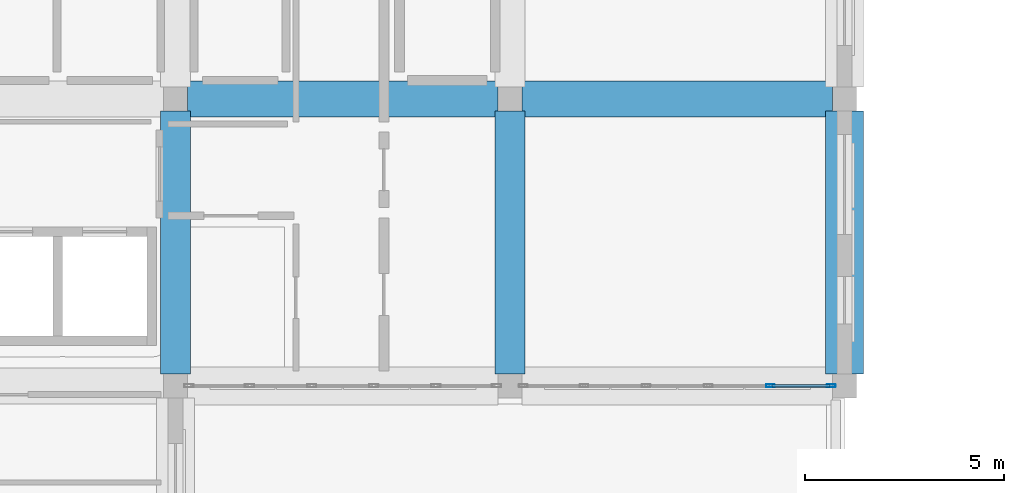
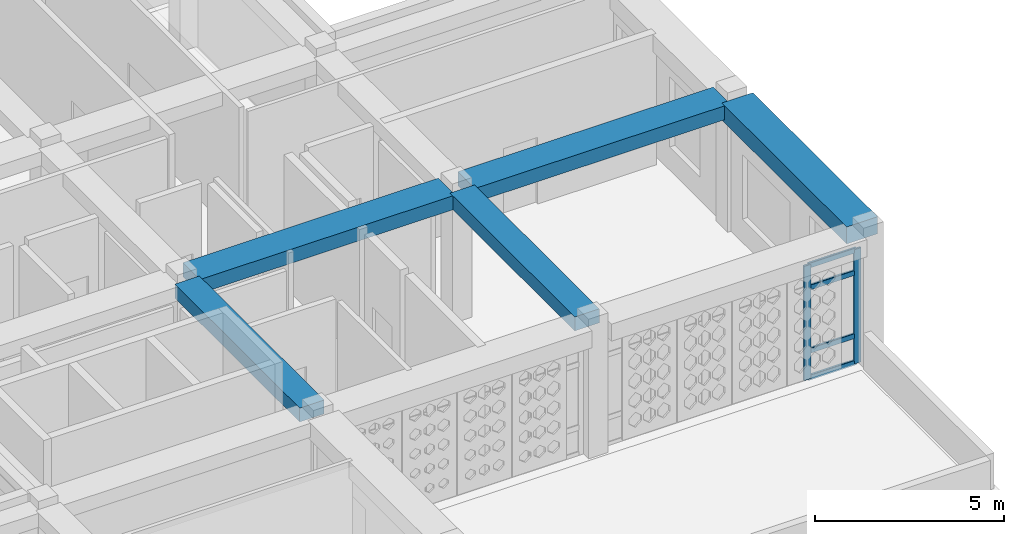
# One storey, part 7 of 28: 6 members, 5 beams, 1 element without a shape of its own.
"""IFC4 building model written with IfcOpenShell, lengths in metres."""

from ifc_helpers import new_model, si_unit, derived_unit, direction, frame, origin, origin_2d, place, context, subcontext, project, spatial, rectangle, hollow_rectangle, extrude, material, material_profile, profile_set, type_object, element, aggregate, save


model = new_model("IFC4")

# Units and contexts
model_context = context("Model", 3, precision=1e-05, world=origin(), true_north=direction((0.0, 1.0)))
body_context = subcontext(model_context, "Body", "Model", "MODEL_VIEW")
ifc_project = project(units=[si_unit("LENGTHUNIT", "METRE"), si_unit("AREAUNIT", "SQUARE_METRE"), si_unit("VOLUMEUNIT", "CUBIC_METRE"), si_unit("PLANEANGLEUNIT", "RADIAN"), si_unit("MASSUNIT", "GRAM", prefix="KILO"), derived_unit("THERMALTRANSMITTANCEUNIT", [(si_unit("POWERUNIT", "WATT"), 1), (si_unit("LENGTHUNIT", "METRE"), -2), (si_unit("THERMODYNAMICTEMPERATUREUNIT", "KELVIN"), -1)])], contexts=[model_context])

# Site, building, storey
site_placement = place(None, origin())
site = spatial("IfcSite", under=ifc_project, at=site_placement, CompositionType="ELEMENT")
building_placement = place(site_placement, origin())
building = spatial("IfcBuilding", under=site, at=building_placement, Name="Veybourne Emporium", CompositionType="ELEMENT")
storey_placement = place(building_placement, frame((0.0, 0.0, 32.10009765625)))
storey = spatial("IfcBuildingStorey", under=building, at=storey_placement, Name="L07", CompositionType="ELEMENT", Elevation=32.10009765625)

# Curtain wall, members
ifc_material_1 = material(Name="Patinated Architectural Bronze", Category="bronze")
curtain_wall_type = type_object("IfcCurtainWallType", Name="CWSystem_CWS-24", PredefinedType="NOTDEFINED", material=ifc_material_1)
curtain_wall_placement = place(storey_placement, origin())
curtain_wall = element("IfcCurtainWall", 1, at=curtain_wall_placement, inside=storey, type_object=curtain_wall_type, Name="L07 bronze glazed curtain wall CWS-24 (016)", PredefinedType="NOTDEFINED")
ifc_material_profile_1 = material_profile(ifc_material_1, hollow_rectangle(XDim=0.070068359375, YDim=0.219970703125, WallThickness=0.0048828125, InnerFilletRadius=0.007568359375, OuterFilletRadius=0.012451171875, at=origin_2d()), Name="CWM 70x220x5")
ifc_profile_set_1 = profile_set([ifc_material_profile_1], Name="Patinated Architectural Bronze")
member_type_1 = type_object("IfcMemberType", Name="CWMullion_CW-M4", PredefinedType="MULLION", material=ifc_profile_set_1)
member_1_placement = place(storey_placement, frame((50.06494140625, 14.39990234375, 0.0), z_axis=(0.0, 0.0, 1.0), x_axis=(0.0, -1.0, 0.0)))
member_1 = element("IfcMember", 2, at=member_1_placement, type_object=member_type_1, Name="CWS-24 mullion 1", PredefinedType="MULLION", context=body_context, shape_type="SweptSolid", body=[
    extrude(hollow_rectangle(XDim=0.070068359375, YDim=0.219970703125, WallThickness=0.0048828125, InnerFilletRadius=0.007568359375, OuterFilletRadius=0.012451171875, at=origin_2d()), origin(), (0.0, 0.0, 1.0), 3.68994140625),
])
member_2_placement = place(storey_placement, frame((48.5400390625, 14.39990234375, 0.0), z_axis=(0.0, 0.0, 1.0), x_axis=(0.0, -1.0, 0.0)))
member_2 = element("IfcMember", 3, at=member_2_placement, type_object=member_type_1, Name="CWS-24 mullion 2", PredefinedType="MULLION", context=body_context, shape_type="SweptSolid", body=[
    extrude(hollow_rectangle(XDim=0.070068359375, YDim=0.219970703125, WallThickness=0.0048828125, InnerFilletRadius=0.007568359375, OuterFilletRadius=0.012451171875, at=origin_2d()), origin(), (0.0, 0.0, 1.0), 3.68994140625),
])
ifc_material_profile_2 = material_profile(ifc_material_1, hollow_rectangle(XDim=0.070068359375, YDim=0.169921875, WallThickness=0.0048828125, InnerFilletRadius=0.007568359375, OuterFilletRadius=0.012451171875, at=origin_2d()), Name="CWT 70x170x5")
ifc_profile_set_2 = profile_set([ifc_material_profile_2], Name="Patinated Architectural Bronze")
member_type_2 = type_object("IfcMemberType", Name="CWTransom_CW-T4", PredefinedType="NOTDEFINED", material=ifc_profile_set_2)
member_3_placement = place(storey_placement, frame((50.030029296875, 14.39990234375, 0.034912109375), z_axis=(-1.0, 0.0, 0.0), x_axis=(0.0, -1.0, 0.0)))
member_3 = element("IfcMember", 4, at=member_3_placement, type_object=member_type_2, Name="CWS-24 transom 1.1", ObjectType="TRANSOM", PredefinedType="USERDEFINED", context=body_context, shape_type="SweptSolid", body=[
    extrude(hollow_rectangle(XDim=0.070068359375, YDim=0.169921875, WallThickness=0.0048828125, InnerFilletRadius=0.007568359375, OuterFilletRadius=0.012451171875, at=origin_2d()), origin(), (0.0, 0.0, 1.0), 1.455078125),
])
member_4_placement = place(storey_placement, frame((50.030029296875, 14.39990234375, 0.89990234375), z_axis=(-1.0, 0.0, 0.0), x_axis=(0.0, -1.0, 0.0)))
member_4 = element("IfcMember", 5, at=member_4_placement, type_object=member_type_2, Name="CWS-24 transom 1.2", ObjectType="TRANSOM", PredefinedType="USERDEFINED", context=body_context, shape_type="SweptSolid", body=[
    extrude(hollow_rectangle(XDim=0.070068359375, YDim=0.169921875, WallThickness=0.0048828125, InnerFilletRadius=0.007568359375, OuterFilletRadius=0.012451171875, at=origin_2d()), origin(), (0.0, 0.0, 1.0), 1.455078125),
])
member_5_placement = place(storey_placement, frame((50.030029296875, 14.39990234375, 2.93994140625), z_axis=(-1.0, 0.0, 0.0), x_axis=(0.0, -1.0, 0.0)))
member_5 = element("IfcMember", 6, at=member_5_placement, type_object=member_type_2, Name="CWS-24 transom 1.3", ObjectType="TRANSOM", PredefinedType="USERDEFINED", context=body_context, shape_type="SweptSolid", body=[
    extrude(hollow_rectangle(XDim=0.070068359375, YDim=0.169921875, WallThickness=0.0048828125, InnerFilletRadius=0.007568359375, OuterFilletRadius=0.012451171875, at=origin_2d()), origin(), (0.0, 0.0, 1.0), 1.455078125),
])
member_6_placement = place(storey_placement, frame((50.030029296875, 14.39990234375, 3.65478515625), z_axis=(-1.0, 0.0, 0.0), x_axis=(0.0, -1.0, 0.0)))
member_6 = element("IfcMember", 7, at=member_6_placement, type_object=member_type_2, Name="CWS-24 transom 1.4", ObjectType="TRANSOM", PredefinedType="USERDEFINED", context=body_context, shape_type="SweptSolid", body=[
    extrude(hollow_rectangle(XDim=0.070068359375, YDim=0.169921875, WallThickness=0.0048828125, InnerFilletRadius=0.007568359375, OuterFilletRadius=0.012451171875, at=origin_2d()), origin(), (0.0, 0.0, 1.0), 1.455078125),
])
aggregate(curtain_wall, [member_1, member_2, member_3, member_4, member_5, member_6])

# Beams
ifc_material_2 = material(Name="Concrete C32/40", Category="concrete")
ifc_material_profile_3 = material_profile(ifc_material_2, rectangle(XDim=0.89990234375, YDim=0.449951171875, at=origin_2d()), Name="RC 900x450")
ifc_profile_set_3 = profile_set([ifc_material_profile_3], Name="Concrete C32/40")
beam_type_1 = type_object("IfcBeamType", Name="RCBeam_BB-03", PredefinedType="BEAM", material=ifc_profile_set_3)
for number, where, z_axis, x_axis, name in (
    (8, (33.89990234375, 21.60009765625, 4.014892578125), (1.0, 0.0, 0.0), (0.0, 1.0, 0.0), "L07 X-grid beam BB-03 (4,3)"),
    (9, (42.300048828125, 21.60009765625, 4.014892578125), (1.0, 0.0, 0.0), (0.0, 1.0, 0.0), "L07 X-grid beam BB-03 (5,3)"),
):
    element("IfcBeam", number, at=place(storey_placement, frame(where, z_axis=z_axis, x_axis=x_axis)), inside=storey, type_object=beam_type_1, Name=name, PredefinedType="BEAM", context=body_context, shape_type="SweptSolid", body=[
        extrude(rectangle(XDim=0.89990234375, YDim=0.449951171875, at=origin_2d()), origin(), (0.0, 0.0, 1.0), 7.800048828125),
    ])
ifc_material_profile_4 = material_profile(ifc_material_2, rectangle(XDim=0.75, YDim=0.449951171875, at=origin_2d()), Name="RC 750x450")
ifc_profile_set_4 = profile_set([ifc_material_profile_4], Name="Concrete C32/40")
beam_type_2 = type_object("IfcBeamType", Name="RCBeam_BB-04", PredefinedType="BEAM", material=ifc_profile_set_4)
for number, where, z_axis, x_axis, name in (
    (10, (33.60009765625, 14.699951171875, 4.014892578125), (0.0, 1.0, 0.0), (-1.0, 0.0, 0.0), "L07 Y-grid beam BB-04 (4,2)"),
    (11, (42.0, 14.699951171875, 4.014892578125), (0.0, 1.0, 0.0), (-1.0, 0.0, 0.0), "L07 Y-grid beam BB-04 (5,2)"),
):
    element("IfcBeam", number, at=place(storey_placement, frame(where, z_axis=z_axis, x_axis=x_axis)), inside=storey, type_object=beam_type_2, Name=name, PredefinedType="BEAM", context=body_context, shape_type="SweptSolid", body=[
        extrude(rectangle(XDim=0.75, YDim=0.449951171875, at=origin_2d()), origin(), (0.0, 0.0, 1.0), 6.60009765625),
    ])
ifc_material_profile_5 = material_profile(ifc_material_2, rectangle(XDim=0.949951171875, YDim=0.550048828125, at=origin_2d()), Name="RC 950x550")
ifc_profile_set_5 = profile_set([ifc_material_profile_5], Name="Concrete C32/40")
beam_type_3 = type_object("IfcBeamType", Name="RCBeam_EB-01", PredefinedType="SPANDREL", material=ifc_profile_set_5)
beam_placement = place(storey_placement, frame((50.39990234375, 14.699951171875, 3.96484375), z_axis=(0.0, 1.0, 0.0), x_axis=(-1.0, 0.0, 0.0)))
element("IfcBeam", 12, at=beam_placement, inside=storey, type_object=beam_type_3, Name="L07 Y-grid beam EB-01 (6,2)", PredefinedType="SPANDREL", context=body_context, shape_type="SweptSolid", body=[
    extrude(rectangle(XDim=0.949951171875, YDim=0.550048828125, at=origin_2d()), origin(), (0.0, 0.0, 1.0), 6.60009765625),
])

save(model, "model.ifc")
